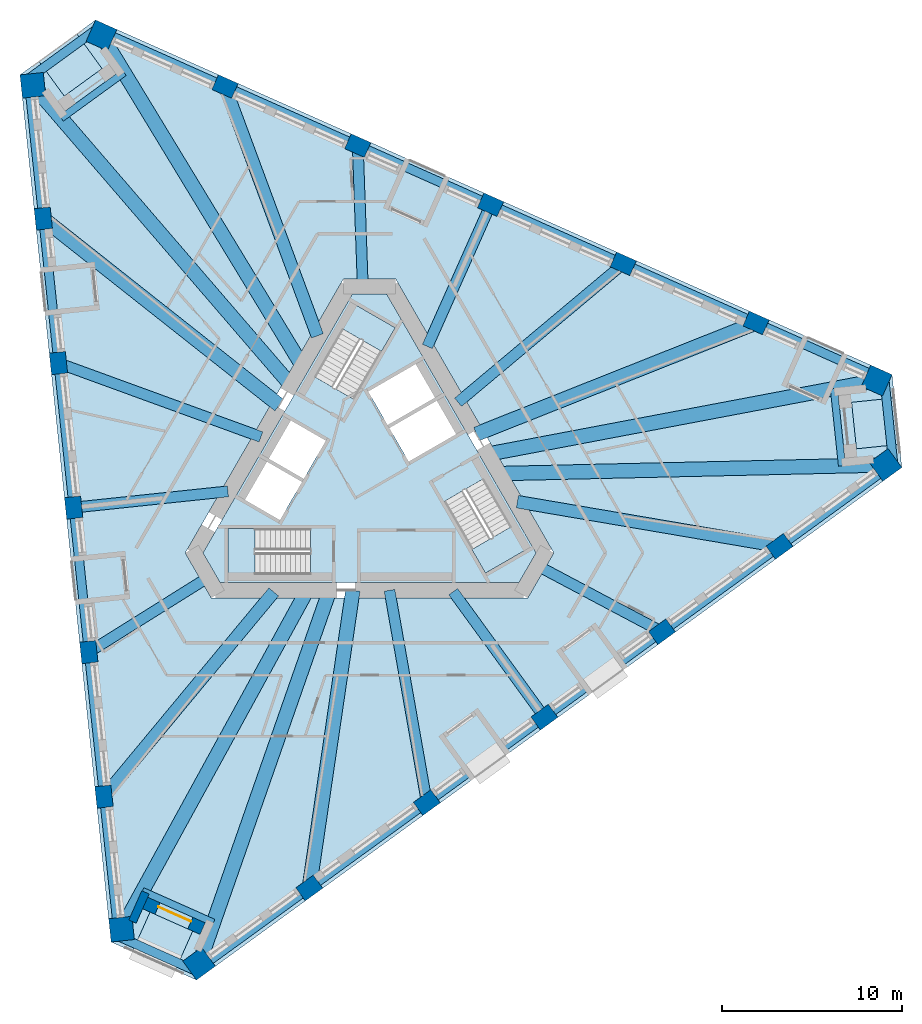
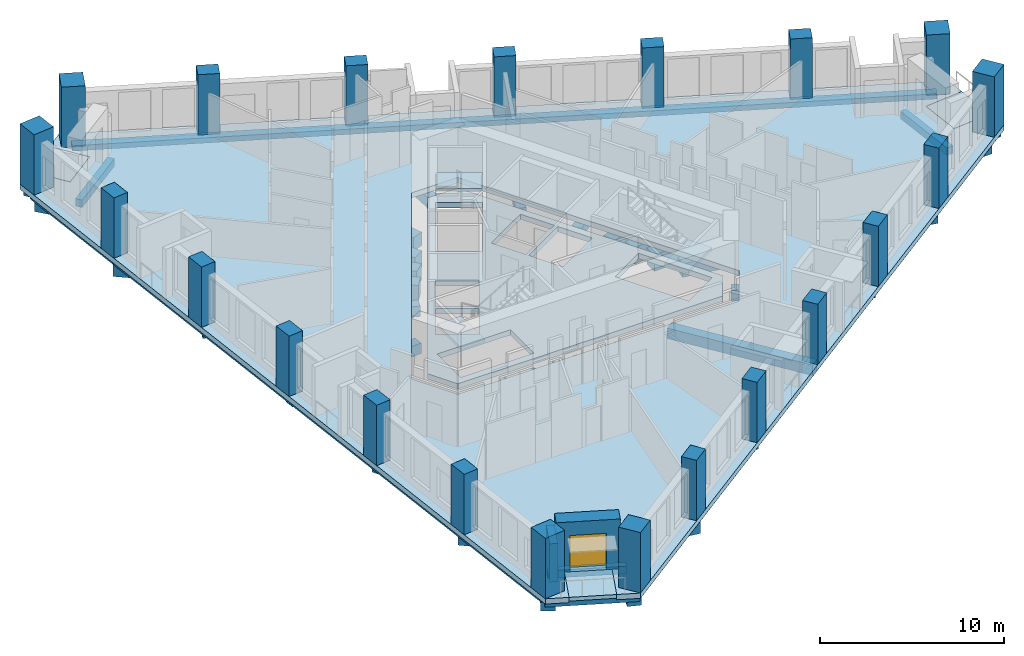
# One storey, part 1 of 14: 30 beams, 21 columns, 8 slabs, 2 walls, 1 door, 1 opening, 3 elements without a shape of their own.
"""IFC4 building model written with IfcOpenShell, lengths in metres."""

import ifcopenshell
import ifcopenshell.guid

model = None  # the IFC model being written
_history = None  # IfcOwnerHistory: only IFC2X3 demands one
_inside = {}  # id of a spatial element -> (the spatial element, [elements in it])
_under = {}  # id of a project, library or spatial element -> (it, [spatial elements below it])
_declared = {}  # id of a project -> (the project, [libraries it declares])
_typed = {}  # id of a type object -> (the type object, [elements of that type])
_made_of = {}  # id of a material, layer set ... -> (it, [elements and type objects made of it])


def new_model(schema):
    """Start an empty IFC model of exactly this schema.

    Asked for "IFC4X3", IfcOpenShell would pick the latest addendum, in which some entities
    have other attributes; the version numbers below select the first issue.
    IFC2X3 requires an IfcOwnerHistory on every rooted entity: one is made here for all.
    """
    global model, _history
    if schema == "IFC4X3":
        model = ifcopenshell.file(schema_version=(4, 3, 0, 0))
    else:
        model = ifcopenshell.file(schema=schema)
    _inside.clear()
    _under.clear()
    _declared.clear()
    _typed.clear()
    _made_of.clear()
    _history = None
    if model.schema == "IFC2X3":
        org = make("IfcOrganization", Name="unknown")
        user = make(
            "IfcPersonAndOrganization",
            ThePerson=make("IfcPerson", FamilyName="unknown"),
            TheOrganization=org,
        )
        app = make(
            "IfcApplication",
            ApplicationDeveloper=org,
            Version="unknown",
            ApplicationFullName="unknown",
            ApplicationIdentifier="unknown",
        )
        _history = make(
            "IfcOwnerHistory",
            OwningUser=user,
            OwningApplication=app,
            ChangeAction="ADDED",
            CreationDate=0,
        )
    return model


def make(cls, **values):
    """One entity of the class cls with the attributes given. An attribute that is None is left unset."""
    return model.create_entity(
        cls, **{name: value for name, value in values.items() if value is not None}
    )


def rooted(cls, **values):
    """An entity with a GlobalId (a new one), such as an element, a storey or a relation."""
    return make(cls, GlobalId=ifcopenshell.guid.new(), OwnerHistory=_history, **values)


def si_unit(unit_type, name, prefix=None):
    """IfcSIUnit, for example si_unit("LENGTHUNIT", "METRE", prefix="MILLI")."""
    return make("IfcSIUnit", UnitType=unit_type, Prefix=prefix, Name=name)


def assignment(units):
    """IfcUnitAssignment: the units of a project."""
    return None if units is None else make("IfcUnitAssignment", Units=units)


def point(xyz):
    """IfcCartesianPoint."""
    return None if xyz is None else make("IfcCartesianPoint", Coordinates=xyz)


def direction(xyz):
    """IfcDirection."""
    return None if xyz is None else make("IfcDirection", DirectionRatios=xyz)


def frame(location, z_axis=None, x_axis=None):
    """IfcAxis2Placement3D, a coordinate frame: its origin and axes. An axis left out is left unset."""
    return make(
        "IfcAxis2Placement3D",
        Location=point(location),
        Axis=direction(z_axis),
        RefDirection=direction(x_axis),
    )


def frame_2d(location, x_axis=None):
    """IfcAxis2Placement2D, a coordinate frame in the plane: its origin and x axis."""
    return make(
        "IfcAxis2Placement2D", Location=point(location), RefDirection=direction(x_axis)
    )


def origin():
    """The frame at (0, 0, 0) with its axes left unset."""
    return frame((0.0, 0.0, 0.0))


def origin_2d():
    """The frame at (0, 0) in the plane with its x axis left unset."""
    return frame_2d((0.0, 0.0))


def place(relative_to, where):
    """IfcLocalPlacement: puts the frame where relative to a parent placement (None: the world)."""
    return make(
        "IfcLocalPlacement", PlacementRelTo=relative_to, RelativePlacement=where
    )


def context(
    kind, dimensions, precision=None, world=None, true_north=None, identifier=None
):
    """IfcGeometricRepresentationContext, for example the 3D "Model" context."""
    return make(
        "IfcGeometricRepresentationContext",
        ContextIdentifier=identifier,
        ContextType=kind,
        CoordinateSpaceDimension=dimensions,
        Precision=precision,
        WorldCoordinateSystem=world,
        TrueNorth=true_north,
    )


def subcontext(parent, identifier, kind, view, scale=None):
    """IfcGeometricRepresentationSubContext, for example "Body" below "Model"."""
    return make(
        "IfcGeometricRepresentationSubContext",
        ContextIdentifier=identifier,
        ContextType=kind,
        ParentContext=parent,
        TargetScale=scale,
        TargetView=view,
    )


def project(units=None, contexts=None):
    """IfcProject with its units and contexts."""
    return rooted(
        "IfcProject",
        Name="project",
        RepresentationContexts=contexts,
        UnitsInContext=assignment(units),
    )


def spatial(cls, under=None, at=None, **own):
    """A site, building, storey or space (cls), placed at a placement, below another one or the project."""
    s = rooted(cls, ObjectPlacement=at, **own)
    if under is not None:
        _under.setdefault(under.id(), (under, []))[1].append(s)
    return s


def polyline(points):
    """IfcPolyline through the points."""
    return make("IfcPolyline", Points=[point(p) for p in points])


def profile(cls, at=None, kind="AREA", **sizes):
    """A parametric profile (cls). Its sizes go by their IFC names, for example OverallWidth=200.0."""
    return make(cls, ProfileType=kind, Position=at, **sizes)


def rectangle(**sizes):
    """IfcRectangleProfileDef."""
    return profile("IfcRectangleProfileDef", **sizes)


def outline(outer, holes=None, kind="AREA"):
    """IfcArbitraryClosedProfileDef: a profile drawn as a closed curve; with holes, ...WithVoids."""
    if holes is None:
        return make("IfcArbitraryClosedProfileDef", ProfileType=kind, OuterCurve=outer)
    return make(
        "IfcArbitraryProfileDefWithVoids",
        ProfileType=kind,
        OuterCurve=outer,
        InnerCurves=holes,
    )


def extrude(swept, where, along, depth):
    """IfcExtrudedAreaSolid: the profile swept, set in the frame where, extruded along a direction by depth."""
    return make(
        "IfcExtrudedAreaSolid",
        SweptArea=swept,
        Position=where,
        ExtrudedDirection=direction(along),
        Depth=depth,
    )


def shape(context_of_items, identifier, shape_type, items):
    """IfcShapeRepresentation: the items that make up one representation, for example the "Body"."""
    return make(
        "IfcShapeRepresentation",
        ContextOfItems=context_of_items,
        RepresentationIdentifier=identifier,
        RepresentationType=shape_type,
        Items=items,
    )


def material(Name=None, Category=None):
    """IfcMaterial."""
    return make("IfcMaterial", Name=Name, Category=Category)


def layer(
    of_material, thickness, ventilated=None, Name=None, Category=None, Priority=None
):
    """IfcMaterialLayer: one layer of a wall or slab, of a material (None: an air gap)."""
    return make(
        "IfcMaterialLayer",
        Material=of_material,
        LayerThickness=thickness,
        IsVentilated=ventilated,
        Name=Name,
        Category=Category,
        Priority=Priority,
    )


def layer_set(layers, Name=None):
    """IfcMaterialLayerSet."""
    return make("IfcMaterialLayerSet", MaterialLayers=layers, LayerSetName=Name)


def material_profile(
    of_material, cross_section, Name=None, Category=None, Priority=None
):
    """IfcMaterialProfile: a cross section and its material."""
    return make(
        "IfcMaterialProfile",
        Name=Name,
        Material=of_material,
        Profile=cross_section,
        Priority=Priority,
        Category=Category,
    )


def profile_set(profiles, Name=None, composite=None):
    """IfcMaterialProfileSet."""
    return make(
        "IfcMaterialProfileSet",
        Name=Name,
        MaterialProfiles=profiles,
        CompositeProfile=composite,
    )


def made_of(thing, what):
    """Note that an element or type object is made of a material, layer set ...; save() writes the relation."""
    if what is not None:
        _made_of.setdefault(what.id(), (what, []))[1].append(thing)
    return thing


def type_object(cls, material=None, **own):
    """A type object (cls), such as IfcWallType, which elements share."""
    return made_of(rooted(cls, **own), material)


def element(
    cls,
    number,
    at=None,
    inside=None,
    cuts=None,
    type_object=None,
    material=None,
    context=None,
    identifier="Body",
    shape_type=None,
    held_by="IfcProductDefinitionShape",
    body=None,
    shapes=None,
    **own,
):
    """One element of the class cls, such as IfcWall. Its Tag is "e" and its number.

    at: its placement. inside: the storey or other place that contains it. cuts: it is an
    opening in that element (IfcRelVoidsElement). A single representation is given by context,
    identifier, shape_type and body (its items); several are given by shapes. held_by: the class
    of the entity that holds the representations. save() writes the other relations.
    """
    e = rooted(cls, Tag="e%d" % number, ObjectPlacement=at, **own)
    if body is not None:
        shapes = [shape(context, identifier, shape_type, body)]
    if shapes is not None:
        e.Representation = make(held_by, Representations=shapes)
    if inside is not None:
        _inside.setdefault(inside.id(), (inside, []))[1].append(e)
    if cuts is not None:
        rooted(
            "IfcRelVoidsElement", RelatingBuildingElement=cuts, RelatedOpeningElement=e
        )
    if type_object is not None:
        _typed.setdefault(type_object.id(), (type_object, []))[1].append(e)
    return made_of(e, material)


def fill(opening, filler):
    """IfcRelFillsElement: the door or window that sits in an opening."""
    return rooted(
        "IfcRelFillsElement",
        RelatingOpeningElement=opening,
        RelatedBuildingElement=filler,
    )


def aggregate(whole, parts):
    """IfcRelAggregates: a whole, such as a stair, and the parts it consists of."""
    return rooted("IfcRelAggregates", RelatingObject=whole, RelatedObjects=parts)


def save(model, path):
    """Write the relations noted so far, then the file.

    IfcRelAggregates (storeys below a building ...), IfcRelContainedInSpatialStructure (elements
    in a storey), IfcRelDefinesByType, IfcRelAssociatesMaterial and IfcRelDeclares: one each for
    every whole, place, type object, material and project.
    """
    for whole, parts in _under.values():
        aggregate(whole, parts)
    for where, things in _inside.values():
        rooted(
            "IfcRelContainedInSpatialStructure",
            RelatedElements=things,
            RelatingStructure=where,
        )
    for kind, things in _typed.values():
        rooted("IfcRelDefinesByType", RelatedObjects=things, RelatingType=kind)
    for what, things in _made_of.values():
        rooted("IfcRelAssociatesMaterial", RelatedObjects=things, RelatingMaterial=what)
    for by, libraries in _declared.values():
        rooted("IfcRelDeclares", RelatingContext=by, RelatedDefinitions=libraries)
    model.write(path)


model = new_model("IFC4")

# Units and contexts
model_context = context("Model", 3, precision=1e-05, world=origin(), true_north=direction((0.0, 1.0)))
body_context = subcontext(model_context, "Body", "Model", "MODEL_VIEW")
ifc_project = project(units=[si_unit("LENGTHUNIT", "METRE"), si_unit("AREAUNIT", "SQUARE_METRE"), si_unit("VOLUMEUNIT", "CUBIC_METRE"), si_unit("PLANEANGLEUNIT", "RADIAN"), si_unit("MASSUNIT", "GRAM", prefix="KILO")], contexts=[model_context])

# Site, building, storey
site_placement = place(None, origin())
site = spatial("IfcSite", under=ifc_project, at=site_placement, CompositionType="ELEMENT")
building_placement = place(site_placement, origin())
building = spatial("IfcBuilding", under=site, at=building_placement, Name="Tramontana Tower", CompositionType="ELEMENT")
storey_placement = place(building_placement, frame((0.0, 0.0, 170.800048828125)))
storey = spatial("IfcBuildingStorey", under=building, at=storey_placement, Name="L39", CompositionType="ELEMENT", Elevation=170.800048828125)

# Columns
ifc_material_1 = material(Name="Concrete 55 MPa", Category="concrete")
ifc_material_profile_1 = material_profile(ifc_material_1, rectangle(XDim=1.300048828125, YDim=1.300048828125, at=origin_2d()), Name="Mega column 1300X1300 55 MPa")
ifc_profile_set_1 = profile_set([ifc_material_profile_1], Name="Concrete 55 MPa")
column_type_1 = type_object("IfcColumnType", Name="Mega column 1300X1300 55 MPa", PredefinedType="COLUMN", material=ifc_profile_set_1)
for number, where, z_axis, x_axis, name in (
    (1, (-18.72705078125, 21.760498046875, 0.0), (0.0, 0.0, 1.0), (0.104528463268, -0.994521895368, 0.0), "Mega column C4K1 L39"),
    (2, (-13.793701171875, -25.178466796875, 0.0), (0.0, 0.0, 1.0), (0.104528463268, -0.994521895368, 0.0), "Mega column C4K2 L39"),
    (3, (-9.4814453125, -27.098388671875, 0.0), (0.0, 0.0, 1.0), (0.809016994375, 0.587785252292, 0.0), "Mega column C4K3 L39"),
    (4, (28.7021484375, 0.6435546875, 0.0), (0.0, 0.0, 1.0), (0.809016994375, 0.587785252292, 0.0), "Mega column C4K4 L39"),
    (5, (28.208740234375, 5.337890625, 0.0), (0.0, 0.0, 1.0), (-0.913545457643, 0.406736643076, 0.0), "Mega column C4K5 L39"),
    (6, (-14.908447265625, 24.534912109375, 0.0), (0.0, 0.0, 1.0), (-0.913545457643, 0.406736643076, 0.0), "Mega column C4K6 L39"),
):
    element("IfcColumn", number, at=place(storey_placement, frame(where, z_axis=z_axis, x_axis=x_axis)), inside=storey, type_object=column_type_1, Name=name, PredefinedType="COLUMN", context=body_context, shape_type="SweptSolid", body=[
        extrude(rectangle(XDim=1.300048828125, YDim=1.300048828125, at=origin_2d()), origin(), (0.0, 0.0, 1.0), 4.0),
    ])
ifc_material_2 = material(Name="Concrete 55 MPa", Category="concrete")
ifc_material_profile_2 = material_profile(ifc_material_2, rectangle(XDim=1.199951171875, YDim=0.89990234375, at=origin_2d()), Name="Pier column 1200X900 55 MPa")
ifc_profile_set_2 = profile_set([ifc_material_profile_2], Name="Concrete 55 MPa")
column_type_2 = type_object("IfcColumnType", Name="Pier column 1200X900 55 MPa", PredefinedType="COLUMN", material=ifc_profile_set_2)
for number, where, z_axis, x_axis, name in (
    (7, (-18.149169921875, 14.347412109375, 0.0), (0.0, 0.0, 1.0), (0.104528463268, -0.994521895368, 0.0), "Pier column C4F01 L39"),
    (8, (-17.30419921875, 6.30859375, 0.0), (0.0, 0.0, 1.0), (0.104528463268, -0.994521895368, 0.0), "Pier column C4F02 L39"),
    (9, (-16.459228515625, -1.72998046875, 0.0), (0.0, 0.0, 1.0), (0.104528463268, -0.994521895368, 0.0), "Pier column C4F03 L39"),
    (10, (-15.614501953125, -9.7685546875, 0.0), (0.0, 0.0, 1.0), (0.104528463268, -0.994521895368, 0.0), "Pier column C4F04 L39"),
    (11, (-14.76953125, -17.80712890625, 0.0), (0.0, 0.0, 1.0), (0.104528463268, -0.994521895368, 0.0), "Pier column C4F05 L39"),
    (12, (-3.3505859375, -22.891357421875, 0.0), (0.0, 0.0, 1.0), (0.809016994375, 0.587785252292, 0.0), "Pier column C4F06 L39"),
    (13, (3.188720703125, -18.14013671875, 0.0), (0.0, 0.0, 1.0), (0.809016994375, 0.587785252292, 0.0), "Pier column C4F07 L39"),
    (14, (9.727783203125, -13.38916015625, 0.0), (0.0, 0.0, 1.0), (0.809016994375, 0.587785252292, 0.0), "Pier column C4F08 L39"),
    (15, (16.26708984375, -8.63818359375, 0.0), (0.0, 0.0, 1.0), (0.809016994375, 0.587785252292, 0.0), "Pier column C4F09 L39"),
    (16, (22.80615234375, -3.88720703125, 0.0), (0.0, 0.0, 1.0), (0.809016994375, 0.587785252292, 0.0), "Pier column C4F10 L39"),
    (17, (21.499755859375, 8.5439453125, 0.0), (0.0, 0.0, 1.0), (-0.913545457643, 0.406736643076, 0.0), "Pier column C4F11 L39"),
    (18, (14.115478515625, 11.83154296875, 0.0), (0.0, 0.0, 1.0), (-0.913545457643, 0.406736643076, 0.0), "Pier column C4F12 L39"),
    (19, (6.7314453125, 15.119140625, 0.0), (0.0, 0.0, 1.0), (-0.913545457643, 0.406736643076, 0.0), "Pier column C4F13 L39"),
    (20, (-0.652587890625, 18.40673828125, 0.0), (0.0, 0.0, 1.0), (-0.913545457643, 0.406736643076, 0.0), "Pier column C4F14 L39"),
    (21, (-8.03662109375, 21.6943359375, 0.0), (0.0, 0.0, 1.0), (-0.913545457643, 0.406736643076, 0.0), "Pier column C4F15 L39"),
):
    element("IfcColumn", number, at=place(storey_placement, frame(where, z_axis=z_axis, x_axis=x_axis)), inside=storey, type_object=column_type_2, Name=name, PredefinedType="COLUMN", context=body_context, shape_type="SweptSolid", body=[
        extrude(rectangle(XDim=1.199951171875, YDim=0.89990234375, at=origin_2d()), origin(), (0.0, 0.0, 1.0), 4.0),
    ])

# Beams
ifc_material_3 = material(Name="Concrete 40 MPa", Category="concrete")
ifc_material_profile_3 = material_profile(ifc_material_3, rectangle(XDim=0.5, YDim=0.35009765625, at=origin_2d()), Name="RC EDGE BEAM 500X350 40 MPa")
ifc_profile_set_3 = profile_set([ifc_material_profile_3], Name="Concrete 40 MPa")
beam_type_1 = type_object("IfcBeamType", Name="RC EDGE BEAM 500X350 40 MPa", PredefinedType="SPANDREL", material=ifc_profile_set_3)
for number, where, z_axis, x_axis, name in (
    (22, (-18.926025390625, 21.739501953125, -0.525146484375), (0.104525646884, -0.994522191378, 0.0), (0.994522191378, 0.104525646884, 0.0), "Spandrel beam S0 L39"),
    (23, (-9.364013671875, -27.26025390625, -0.525146484375), (0.809017612716, 0.587784401218, 0.0), (-0.587784401218, 0.809017612716, 0.0), "Spandrel beam S1 L39"),
):
    element("IfcBeam", number, at=place(storey_placement, frame(where, z_axis=z_axis, x_axis=x_axis)), inside=storey, type_object=beam_type_1, Name=name, PredefinedType="SPANDREL", context=body_context, shape_type="SweptSolid", body=[
        extrude(rectangle(XDim=0.5, YDim=0.35009765625, at=origin_2d()), origin(), (0.0, 0.0, 1.0), 47.197509765625),
    ])
beam_1_placement = place(storey_placement, frame((28.2900390625, 5.520751953125, -0.525146484375), z_axis=(-0.913546423332, 0.406734474095, 0.0), x_axis=(-0.406734474095, -0.913546423332, 0.0)))
element("IfcBeam", 24, at=beam_1_placement, inside=storey, type_object=beam_type_1, Name="Spandrel beam S2 L39", PredefinedType="SPANDREL", context=body_context, shape_type="SweptSolid", body=[
    extrude(rectangle(XDim=0.5, YDim=0.35009765625, at=origin_2d()), origin(), (0.0, 0.0, 1.0), 47.197265625),
])
beam_2_placement = place(storey_placement, frame((-14.973388671875, 25.029052734375, -0.525146484375), z_axis=(-0.809008263593, -0.587797268995, 0.0), x_axis=(0.587797268995, -0.809008263593, 0.0)))
element("IfcBeam", 25, at=beam_2_placement, inside=storey, type_object=beam_type_1, Name="Spandrel beam K0 L39", PredefinedType="SPANDREL", context=body_context, shape_type="SweptSolid", body=[
    extrude(rectangle(XDim=0.5, YDim=0.35009765625, at=origin_2d()), origin(), (0.0, 0.0, 1.0), 5.196044921875),
])
for number, where, z_axis, x_axis, name in (
    (26, (-14.189208984375, -25.481689453125, -0.525146484375), (0.91354592127, -0.40673560175, 0.0), (0.40673560175, 0.91354592127, 0.0), "Spandrel beam K1 L39"),
    (27, (29.162353515625, 0.45263671875, -0.525146484375), (-0.104494011766, 0.994525515764, 0.0), (-0.994525515764, -0.104494011766, 0.0), "Spandrel beam K2 L39"),
):
    element("IfcBeam", number, at=place(storey_placement, frame(where, z_axis=z_axis, x_axis=x_axis)), inside=storey, type_object=beam_type_1, Name=name, PredefinedType="SPANDREL", context=body_context, shape_type="SweptSolid", body=[
        extrude(rectangle(XDim=0.5, YDim=0.35009765625, at=origin_2d()), origin(), (0.0, 0.0, 1.0), 5.1962890625),
    ])
ifc_material_4 = material(Name="Concrete 40 MPa", Category="concrete")
ifc_material_profile_4 = material_profile(ifc_material_4, rectangle(XDim=0.60009765625, YDim=0.699951171875, at=origin_2d()), Name="RC GIRDER 600X700 40 MPa")
ifc_profile_set_4 = profile_set([ifc_material_profile_4], Name="Concrete 40 MPa")
beam_type_2 = type_object("IfcBeamType", Name="RC GIRDER 600X700 40 MPa", PredefinedType="BEAM", material=ifc_profile_set_4)
beam_3_placement = place(storey_placement, frame((-17.30419921875, 6.30859375, -0.699951171875), z_axis=(0.939513090247, -0.342512997205, 0.0), x_axis=(0.342512997205, 0.939513090247, 0.0)))
element("IfcBeam", 28, at=beam_3_placement, inside=storey, type_object=beam_type_2, Name="Radial girder C4F02 L39", PredefinedType="BEAM", context=body_context, shape_type="SweptSolid", body=[
    extrude(rectangle(XDim=0.60009765625, YDim=0.699951171875, at=origin_2d()), origin(), (0.0, 0.0, 1.0), 11.989990234375),
])
beam_4_placement = place(storey_placement, frame((-16.459228515625, -1.72998046875, -0.699951171875), z_axis=(0.994520630985, 0.104540492367, 0.0), x_axis=(-0.104540492367, 0.994520630985, 0.0)))
element("IfcBeam", 29, at=beam_4_placement, inside=storey, type_object=beam_type_2, Name="Radial girder C4F03 L39", PredefinedType="BEAM", context=body_context, shape_type="SweptSolid", body=[
    extrude(rectangle(XDim=0.60009765625, YDim=0.699951171875, at=origin_2d()), origin(), (0.0, 0.0, 1.0), 8.631591796875),
])
beam_5_placement = place(storey_placement, frame((-15.614501953125, -9.7685546875, -0.699951171875), z_axis=(0.847767192537, 0.530368539091, 0.0), x_axis=(-0.530368539091, 0.847767192537, 0.0)))
element("IfcBeam", 30, at=beam_5_placement, inside=storey, type_object=beam_type_2, Name="Radial girder C4F04 L39", PredefinedType="BEAM", context=body_context, shape_type="SweptSolid", body=[
    extrude(rectangle(XDim=0.60009765625, YDim=0.699951171875, at=origin_2d()), origin(), (0.0, 0.0, 1.0), 7.83642578125),
])
beam_6_placement = place(storey_placement, frame((3.188720703125, -18.14013671875, -0.699951171875), z_axis=(-0.173139447083, 0.984897320467, 0.0), x_axis=(-0.984897320467, -0.173139447083, 0.0)))
element("IfcBeam", 31, at=beam_6_placement, inside=storey, type_object=beam_type_2, Name="Radial girder C4F07 L39", PredefinedType="BEAM", context=body_context, shape_type="SweptSolid", body=[
    extrude(rectangle(XDim=0.60009765625, YDim=0.699951171875, at=origin_2d()), origin(), (0.0, 0.0, 1.0), 11.989990234375),
])
beam_7_placement = place(storey_placement, frame((9.727783203125, -13.38916015625, -0.699951171875), z_axis=(-0.587793224159, 0.809011202415, 0.0), x_axis=(-0.809011202415, -0.587793224159, 0.0)))
element("IfcBeam", 32, at=beam_7_placement, inside=storey, type_object=beam_type_2, Name="Radial girder C4F08 L39", PredefinedType="BEAM", context=body_context, shape_type="SweptSolid", body=[
    extrude(rectangle(XDim=0.60009765625, YDim=0.699951171875, at=origin_2d()), origin(), (0.0, 0.0, 1.0), 8.63134765625),
])
beam_8_placement = place(storey_placement, frame((16.26708984375, -8.63818359375, -0.699951171875), z_axis=(-0.883198396805, 0.468999564905, 0.0), x_axis=(-0.468999564905, -0.883198396805, 0.0)))
element("IfcBeam", 33, at=beam_8_placement, inside=storey, type_object=beam_type_2, Name="Radial girder C4F09 L39", PredefinedType="BEAM", context=body_context, shape_type="SweptSolid", body=[
    extrude(rectangle(XDim=0.60009765625, YDim=0.699951171875, at=origin_2d()), origin(), (0.0, 0.0, 1.0), 7.83642578125),
])
beam_9_placement = place(storey_placement, frame((14.115478515625, 11.83154296875, -0.699951171875), z_axis=(-0.766377147971, -0.642390898961, 0.0), x_axis=(0.642390898961, -0.766377147971, 0.0)))
element("IfcBeam", 34, at=beam_9_placement, inside=storey, type_object=beam_type_2, Name="Radial girder C4F12 L39", PredefinedType="BEAM", context=body_context, shape_type="SweptSolid", body=[
    extrude(rectangle(XDim=0.60009765625, YDim=0.699951171875, at=origin_2d()), origin(), (0.0, 0.0, 1.0), 11.98974609375),
])
beam_10_placement = place(storey_placement, frame((6.7314453125, 15.119140625, -0.699951171875), z_axis=(-0.406736735655, -0.913545416424, 0.0), x_axis=(0.913545416424, -0.406736735655, 0.0)))
element("IfcBeam", 35, at=beam_10_placement, inside=storey, type_object=beam_type_2, Name="Radial girder C4F13 L39", PredefinedType="BEAM", context=body_context, shape_type="SweptSolid", body=[
    extrude(rectangle(XDim=0.60009765625, YDim=0.699951171875, at=origin_2d()), origin(), (0.0, 0.0, 1.0), 8.631591796875),
])
beam_11_placement = place(storey_placement, frame((-0.652587890625, 18.40673828125, -0.699951171875), z_axis=(0.035422608777, -0.999372422467, 0.0), x_axis=(0.999372422467, 0.035422608777, 0.0)))
element("IfcBeam", 36, at=beam_11_placement, inside=storey, type_object=beam_type_2, Name="Radial girder C4F14 L39", PredefinedType="BEAM", context=body_context, shape_type="SweptSolid", body=[
    extrude(rectangle(XDim=0.60009765625, YDim=0.699951171875, at=origin_2d()), origin(), (0.0, 0.0, 1.0), 7.83642578125),
])
ifc_material_5 = material(Name="Concrete 40 MPa", Category="concrete")
ifc_material_profile_5 = material_profile(ifc_material_5, rectangle(XDim=0.699951171875, YDim=0.89990234375, at=origin_2d()), Name="RC GIRDER 700X900 40 MPa")
ifc_profile_set_5 = profile_set([ifc_material_profile_5], Name="Concrete 40 MPa")
beam_type_3 = type_object("IfcBeamType", Name="RC GIRDER 700X900 40 MPa", PredefinedType="BEAM", material=ifc_profile_set_5)
for number, where, z_axis, x_axis, name in (
    (37, (-14.76953125, -17.80712890625, -0.800048828125), (0.638406477844, 0.769699401745, 0.0), (-0.769699401745, 0.638406477844, 0.0), "Radial girder C4F05 L39"),
    (38, (22.806396484375, -3.88720703125, -0.800048828125), (-0.985783673381, 0.168019490821, 0.0), (-0.168019490821, -0.985783673381, 0.0), "Radial girder C4F10 L39"),
    (39, (-8.03662109375, 21.6943359375, -0.800048828125), (0.347381556139, -0.93772386898, 0.0), (0.93772386898, 0.347381556139, 0.0), "Radial girder C4F15 L39"),
):
    element("IfcBeam", number, at=place(storey_placement, frame(where, z_axis=z_axis, x_axis=x_axis)), inside=storey, type_object=beam_type_3, Name=name, PredefinedType="BEAM", context=body_context, shape_type="SweptSolid", body=[
        extrude(rectangle(XDim=0.699951171875, YDim=0.89990234375, at=origin_2d()), origin(), (0.0, 0.0, 1.0), 14.79052734375),
    ])
ifc_material_6 = material(Name="Concrete 40 MPa", Category="concrete")
ifc_material_profile_6 = material_profile(ifc_material_6, rectangle(XDim=0.800048828125, YDim=1.10009765625, at=origin_2d()), Name="RC GIRDER 800X1100 40 MPa")
ifc_profile_set_6 = profile_set([ifc_material_profile_6], Name="Concrete 40 MPa")
beam_type_4 = type_object("IfcBeamType", Name="RC GIRDER 800X1100 40 MPa", PredefinedType="BEAM", material=ifc_profile_set_6)
beam_12_placement = place(storey_placement, frame((-18.727294921875, 21.760498046875, -0.900146484375), z_axis=(0.652300085393, -0.757960816004, 0.0), x_axis=(0.757960816004, 0.652300085393, 0.0)))
element("IfcBeam", 40, at=beam_12_placement, inside=storey, type_object=beam_type_4, Name="Radial girder C4K1 L39", PredefinedType="BEAM", context=body_context, shape_type="SweptSolid", body=[
    extrude(rectangle(XDim=0.800048828125, YDim=1.10009765625, at=origin_2d()), origin(), (0.0, 0.0, 1.0), 21.983154296875),
])
beam_13_placement = place(storey_placement, frame((-18.149169921875, 14.347412109375, -0.900146484375), z_axis=(0.784478628915, -0.620155852005, 0.0), x_axis=(0.620155852005, 0.784478628915, 0.0)))
element("IfcBeam", 41, at=beam_13_placement, inside=storey, type_object=beam_type_4, Name="Radial girder C4F01 L39", PredefinedType="BEAM", context=body_context, shape_type="SweptSolid", body=[
    extrude(rectangle(XDim=0.800048828125, YDim=1.10009765625, at=origin_2d()), origin(), (0.0, 0.0, 1.0), 16.73828125),
])
beam_14_placement = place(storey_placement, frame((-13.793701171875, -25.178466796875, -0.900146484375), z_axis=(0.480462301802, 0.877015379881, 0.0), x_axis=(-0.877015379881, 0.480462301802, 0.0)))
element("IfcBeam", 42, at=beam_14_placement, inside=storey, type_object=beam_type_4, Name="Radial girder C4K2 L39", PredefinedType="BEAM", context=body_context, shape_type="SweptSolid", body=[
    extrude(rectangle(XDim=0.800048828125, YDim=1.10009765625, at=origin_2d()), origin(), (0.0, 0.0, 1.0), 21.437744140625),
])
beam_15_placement = place(storey_placement, frame((-9.4814453125, -27.098388671875, -0.900146484375), z_axis=(0.330256430983, 0.943891248924, 0.0), x_axis=(-0.943891248924, 0.330256430983, 0.0)))
element("IfcBeam", 43, at=beam_15_placement, inside=storey, type_object=beam_type_4, Name="Radial girder C4K3 L39", PredefinedType="BEAM", context=body_context, shape_type="SweptSolid", body=[
    extrude(rectangle(XDim=0.800048828125, YDim=1.10009765625, at=origin_2d()), origin(), (0.0, 0.0, 1.0), 21.98291015625),
])
beam_16_placement = place(storey_placement, frame((-3.3505859375, -22.891357421875, -0.900146484375), z_axis=(0.144822515675, 0.989457648893, 0.0), x_axis=(-0.989457648893, 0.144822515675, 0.0)))
element("IfcBeam", 44, at=beam_16_placement, inside=storey, type_object=beam_type_4, Name="Radial girder C4F06 L39", PredefinedType="BEAM", context=body_context, shape_type="SweptSolid", body=[
    extrude(rectangle(XDim=0.800048828125, YDim=1.10009765625, at=origin_2d()), origin(), (0.0, 0.0, 1.0), 16.73828125),
])
beam_17_placement = place(storey_placement, frame((28.701904296875, 0.6435546875, -0.900146484375), z_axis=(-0.999748807881, -0.022412521973, 0.0), x_axis=(0.022412521973, -0.999748807881, 0.0)))
element("IfcBeam", 45, at=beam_17_placement, inside=storey, type_object=beam_type_4, Name="Radial girder C4K4 L39", PredefinedType="BEAM", context=body_context, shape_type="SweptSolid", body=[
    extrude(rectangle(XDim=0.800048828125, YDim=1.10009765625, at=origin_2d()), origin(), (0.0, 0.0, 1.0), 21.4375),
])
beam_18_placement = place(storey_placement, frame((28.20849609375, 5.337890625, -0.900146484375), z_axis=(-0.982562021037, -0.185935136045, 0.0), x_axis=(0.185935136045, -0.982562021037, 0.0)))
element("IfcBeam", 46, at=beam_18_placement, inside=storey, type_object=beam_type_4, Name="Radial girder C4K5 L39", PredefinedType="BEAM", context=body_context, shape_type="SweptSolid", body=[
    extrude(rectangle(XDim=0.800048828125, YDim=1.10009765625, at=origin_2d()), origin(), (0.0, 0.0, 1.0), 21.98291015625),
])
beam_19_placement = place(storey_placement, frame((21.499755859375, 8.5439453125, -0.900146484375), z_axis=(-0.929307244414, -0.369307521558, 0.0), x_axis=(0.369307521558, -0.929307244414, 0.0)))
element("IfcBeam", 47, at=beam_19_placement, inside=storey, type_object=beam_type_4, Name="Radial girder C4F11 L39", PredefinedType="BEAM", context=body_context, shape_type="SweptSolid", body=[
    extrude(rectangle(XDim=0.800048828125, YDim=1.10009765625, at=origin_2d()), origin(), (0.0, 0.0, 1.0), 16.738525390625),
])
beam_20_placement = place(storey_placement, frame((-14.908447265625, 24.534912109375, -0.900146484375), z_axis=(0.519297566275, -0.854593492639, 0.0), x_axis=(0.854593492639, 0.519297566275, 0.0)))
element("IfcBeam", 48, at=beam_20_placement, inside=storey, type_object=beam_type_4, Name="Radial girder C4K6 L39", PredefinedType="BEAM", context=body_context, shape_type="SweptSolid", body=[
    extrude(rectangle(XDim=0.800048828125, YDim=1.10009765625, at=origin_2d()), origin(), (0.0, 0.0, 1.0), 21.437744140625),
])
ifc_material_7 = material(Name="Concrete 40 MPa", Category="concrete")
ifc_material_profile_7 = material_profile(ifc_material_7, rectangle(XDim=0.39990234375, YDim=0.5, at=origin_2d()), Name="RC TRIM BEAM 400X500 40 MPa")
ifc_profile_set_7 = profile_set([ifc_material_profile_7], Name="Concrete 40 MPa")
beam_type_5 = type_object("IfcBeamType", Name="RC TRIM BEAM 400X500 40 MPa", PredefinedType="JOIST", material=ifc_profile_set_7)
for number, where, z_axis, x_axis, name in (
    (49, (-13.651611328125, 22.466552734375, -0.60009765625), (-0.808997350037, -0.587812289453, 0.0), (0.587812289453, -0.808997350037, 0.0), "Trimmer beam K0 L39"),
    (50, (-12.630859375, -23.055908203125, -0.60009765625), (0.913548159873, -0.406730573714, 0.0), (0.406730573714, 0.913548159873, 0.0), "Trimmer beam K1 L39"),
):
    element("IfcBeam", number, at=place(storey_placement, frame(where, z_axis=z_axis, x_axis=x_axis)), inside=storey, type_object=beam_type_5, Name=name, PredefinedType="JOIST", context=body_context, shape_type="SweptSolid", body=[
        extrude(rectangle(XDim=0.39990234375, YDim=0.5, at=origin_2d()), origin(), (0.0, 0.0, 1.0), 4.322509765625),
    ])
beam_21_placement = place(storey_placement, frame((26.282470703125, 0.58935546875, -0.60009765625), z_axis=(-0.104552471013, 0.99451937176, 0.0), x_axis=(-0.99451937176, -0.104552471013, 0.0)))
element("IfcBeam", 51, at=beam_21_placement, inside=storey, type_object=beam_type_5, Name="Trimmer beam K2 L39", PredefinedType="JOIST", context=body_context, shape_type="SweptSolid", body=[
    extrude(rectangle(XDim=0.39990234375, YDim=0.5, at=origin_2d()), origin(), (0.0, 0.0, 1.0), 4.322265625),
])

# Slabs
ifc_material_8 = material(Name="Precast concrete 50 MPa", Category="concrete")
ifc_layer_1 = layer(ifc_material_8, 0.25)
ifc_layer_set_1 = layer_set([ifc_layer_1], Name="LT1 Loggia floor tray 250")
slab_type_1 = type_object("IfcSlabType", Name="LT1 Loggia floor tray 250", PredefinedType="FLOOR", material=ifc_layer_set_1)
slab_1_placement = place(storey_placement, frame((0.0, 0.0, -0.25)))
element("IfcSlab", 52, at=slab_1_placement, inside=storey, type_object=slab_type_1, Name="Corner loggia floor L39 K40", PredefinedType="FLOOR", context=body_context, shape_type="SweptSolid", body=[
    extrude(outline(polyline([(-16.287841796875, 24.630126953125), (-14.877197265625, 22.6884765625), (-16.980712890625, 21.16015625), (-18.391357421875, 23.101806640625), (-16.287841796875, 24.630126953125)])), origin(), (0.0, 0.0, 1.0), 0.25),
])
slab_2_placement = place(storey_placement, frame((0.0, 0.0, -0.25)))
element("IfcSlab", 53, at=slab_2_placement, inside=storey, type_object=slab_type_1, Name="Corner loggia floor L39 K41", PredefinedType="FLOOR", context=body_context, shape_type="SweptSolid", body=[
    extrude(outline(polyline([(-13.186279296875, -26.4208984375), (-12.210205078125, -24.228271484375), (-9.8349609375, -25.285888671875), (-10.81103515625, -27.478271484375), (-13.186279296875, -26.4208984375)])), origin(), (0.0, 0.0, 1.0), 0.25),
])
slab_3_placement = place(storey_placement, frame((0.0, 0.0, -0.25)))
element("IfcSlab", 54, at=slab_3_placement, inside=storey, type_object=slab_type_1, Name="Corner loggia floor L39 K42", PredefinedType="FLOOR", context=body_context, shape_type="SweptSolid", body=[
    extrude(outline(polyline([(29.474365234375, 1.790771484375), (27.08740234375, 1.539794921875), (26.815673828125, 4.12548828125), (29.202392578125, 4.37646484375), (29.474365234375, 1.790771484375)])), origin(), (0.0, 0.0, 1.0), 0.25),
])
ifc_material_9 = material(Name="Concrete 40 MPa", Category="concrete")
ifc_layer_2 = layer(ifc_material_9, 0.35009765625)
ifc_layer_set_2 = layer_set([ifc_layer_2], Name="PT FLAT SLAB 350 40 MPa")
slab_type_2 = type_object("IfcSlabType", Name="PT FLAT SLAB 350 40 MPa", PredefinedType="FLOOR", material=ifc_layer_set_2)
slab_4_placement = place(storey_placement, frame((0.0, 0.0, -0.35009765625)))
element("IfcSlab", 55, at=slab_4_placement, inside=storey, type_object=slab_type_2, Name="Floor slab L39", PredefinedType="FLOOR", context=body_context, shape_type="SweptSolid", body=[
    extrude(outline(polyline([(29.202392578125, 4.37646484375), (26.815673828125, 4.12548828125), (27.08740234375, 1.539794921875), (29.474365234375, 1.790771484375), (29.610107421875, 0.499755859375), (-9.625244140625, -28.00634765625), (-10.81103515625, -27.478271484375), (-9.8349609375, -25.285888671875), (-12.210205078125, -24.228271484375), (-13.186279296875, -26.4208984375), (-14.372314453125, -25.892822265625), (-19.441650390625, 22.3388671875), (-18.391357421875, 23.101806640625), (-16.980712890625, 21.16015625), (-14.877197265625, 22.6884765625), (-16.287841796875, 24.630126953125), (-15.23779296875, 25.39306640625), (29.06689453125, 5.66748046875), (29.202392578125, 4.37646484375)]), holes=[polyline([(-10.248046875, -4.25), (-8.8046875, -6.75), (8.8046875, -6.75), (10.248046875, -4.25), (1.443359375, 11.0), (-1.443359375, 11.0), (-10.248046875, -4.25)])]), origin(), (0.0, 0.0, 1.0), 0.35009765625),
])
slab_5_placement = place(storey_placement, frame((0.0, 0.0, -0.35009765625)))
element("IfcSlab", 56, at=slab_5_placement, inside=storey, type_object=slab_type_2, Name="Core floor slab L39", PredefinedType="FLOOR", context=body_context, shape_type="SweptSolid", body=[
    extrude(outline(polyline([(9.2666015625, -4.25), (8.313720703125, -5.89990234375), (-8.313720703125, -5.89990234375), (-9.2666015625, -4.25), (-0.95263671875, 10.14990234375), (0.95263671875, 10.14990234375), (9.2666015625, -4.25)]), holes=[polyline([(8.659912109375, -4.099365234375), (6.35986328125, -0.115478515625), (4.151611328125, -1.390625), (6.451416015625, -5.374267578125), (8.659912109375, -4.099365234375)]), polyline([(3.829833984375, 4.2666015625), (1.101806640625, 2.69140625), (2.177001953125, 0.82958984375), (4.90478515625, 2.404541015625), (3.829833984375, 4.2666015625)]), polyline([(2.65478515625, 6.3017578125), (-0.072998046875, 4.726806640625), (1.001953125, 2.86474609375), (3.729736328125, 4.439697265625), (2.65478515625, 6.3017578125)]), polyline([(-0.77978515625, 9.54931640625), (-3.079833984375, 5.565673828125), (-0.87158203125, 4.29052734375), (1.428466796875, 8.2744140625), (-0.77978515625, 9.54931640625)]), polyline([(-5.689697265625, 1.044921875), (-3.65478515625, -0.130126953125), (-2.4296875, 1.99169921875), (-4.46484375, 3.166748046875), (-5.689697265625, 1.044921875)]), polyline([(-3.280029296875, -5.449951171875), (-3.280029296875, -2.89990234375), (-7.8798828125, -2.89990234375), (-7.8798828125, -5.449951171875), (-3.280029296875, -5.449951171875)]), polyline([(-7.014892578125, -1.25), (-4.979736328125, -2.425048828125), (-3.754638671875, -0.30322265625), (-5.789794921875, 0.87158203125), (-7.014892578125, -1.25)])]), origin(), (0.0, 0.0, 1.0), 0.35009765625),
])

# Stair, slab
ifc_material_10 = material(Name="Concrete 40 MPa", Category="concrete")
stair_type = type_object("IfcStairType", Name="EXIT STAIR 24 RISERS", PredefinedType="HALF_TURN_STAIR", material=ifc_material_10)
stair_1_placement = place(storey_placement, origin())
stair_1 = element("IfcStair", 57, at=stair_1_placement, inside=storey, type_object=stair_type, Name="L39 Exit stair ST1", PredefinedType="HALF_TURN_STAIR")
ifc_material_11 = material(Name="Concrete 40 MPa", Category="concrete")
ifc_layer_3 = layer(ifc_material_11, 0.199951171875)
ifc_layer_set_3 = layer_set([ifc_layer_3], Name="STAIR LANDING 200")
slab_type_3 = type_object("IfcSlabType", Name="STAIR LANDING 200", PredefinedType="LANDING", material=ifc_layer_set_3)
slab_6_placement = place(storey_placement, frame((0.0, 0.0, 1.800048828125)))
slab_6 = element("IfcSlab", 58, at=slab_6_placement, type_object=slab_type_3, Name="ST1 landing 1", PredefinedType="LANDING", context=body_context, shape_type="SweptSolid", body=[
    extrude(outline(polyline([(0.66845703125, 6.9580078125), (1.428466796875, 8.274169921875), (-0.77978515625, 9.54931640625), (-1.539794921875, 8.23291015625), (0.66845703125, 6.9580078125)])), origin(), (0.0, 0.0, 1.0), 0.199951171875),
])
aggregate(stair_1, [slab_6])

stair_2_placement = place(storey_placement, origin())
stair_2 = element("IfcStair", 59, at=stair_2_placement, inside=storey, type_object=stair_type, Name="L39 Exit stair ST2", PredefinedType="HALF_TURN_STAIR")
slab_7_placement = place(storey_placement, frame((0.0, 0.0, 1.800048828125)))
slab_7 = element("IfcSlab", 60, at=slab_7_placement, type_object=slab_type_3, Name="ST2 landing 1", PredefinedType="LANDING", context=body_context, shape_type="SweptSolid", body=[
    extrude(outline(polyline([(-6.360107421875, -2.89990234375), (-7.8798828125, -2.89990234375), (-7.8798828125, -5.449951171875), (-6.360107421875, -5.449951171875), (-6.360107421875, -2.89990234375)])), origin(), (0.0, 0.0, 1.0), 0.199951171875),
])
aggregate(stair_2, [slab_7])

stair_3_placement = place(storey_placement, origin())
stair_3 = element("IfcStair", 61, at=stair_3_placement, inside=storey, type_object=stair_type, Name="L39 Exit stair ST3", PredefinedType="HALF_TURN_STAIR")
slab_8_placement = place(storey_placement, frame((0.0, 0.0, 1.800048828125)))
slab_8 = element("IfcSlab", 62, at=slab_8_placement, type_object=slab_type_3, Name="ST3 landing 1", PredefinedType="LANDING", context=body_context, shape_type="SweptSolid", body=[
    extrude(outline(polyline([(5.69140625, -4.057861328125), (6.451416015625, -5.374267578125), (8.659912109375, -4.099365234375), (7.89990234375, -2.782958984375), (5.69140625, -4.057861328125)])), origin(), (0.0, 0.0, 1.0), 0.199951171875),
])
aggregate(stair_3, [slab_8])

# Wall
ifc_material_12 = material(Name="Precast concrete 60 MPa", Category="concrete")
ifc_layer_4 = layer(ifc_material_12, 0.449951171875)
ifc_layer_set_4 = layer_set([ifc_layer_4], Name="Precast concrete 60 MPa, 450 mm")
wall_type_1 = type_object("IfcWallType", Name="EW1 Stone-faced precast wall 450", PredefinedType="SOLIDWALL", material=ifc_layer_set_4)
wall_1_placement = place(storey_placement, frame((-13.184326171875, -24.757080078125, 0.0), z_axis=(0.0, 0.0, 1.0), x_axis=(0.406698557215, 0.913562413609, 0.0)))
element("IfcWall", 63, at=wall_1_placement, inside=storey, type_object=wall_type_1, Name="Corner loggia side wall L39 K41r", PredefinedType="SOLIDWALL", context=body_context, shape_type="SweptSolid", body=[
    extrude(rectangle(XDim=1.779296875, YDim=0.449951171875, at=frame_2d((0.8896484375, 0.0))), origin(), (0.0, 0.0, 1.0), 2.550048828125),
])

# Wall, opening, door
ifc_material_13 = material(Name="Precast concrete 60 MPa", Category="concrete")
ifc_layer_5 = layer(ifc_material_13, 0.89990234375)
ifc_layer_set_5 = layer_set([ifc_layer_5], Name="EW2 Stone-faced corner loggia wall 900")
wall_type_2 = type_object("IfcWallType", Name="EW2 Stone-faced corner loggia wall 900", PredefinedType="SOLIDWALL", material=ifc_layer_set_5)
wall_2_placement = place(storey_placement, frame((-9.24072265625, -25.057861328125, 0.0), z_axis=(0.0, 0.0, 1.0), x_axis=(-0.913549606868, 0.406727323635, 0.0)))
wall_2 = element("IfcWall", 64, at=wall_2_placement, inside=storey, type_object=wall_type_2, Name="Corner loggia wall L39 K41", PredefinedType="SOLIDWALL", context=body_context, shape_type="SweptSolid", body=[
    extrude(rectangle(XDim=3.5, YDim=0.89990234375, at=frame_2d((1.75, 0.0))), origin(), (0.0, 0.0, 1.0), 3.300048828125),
])
opening_placement = place(wall_2_placement, frame((0.75, 0.0, 0.0)))
opening = element("IfcOpeningElement", 65, at=opening_placement, cuts=wall_2, Name="Opening BD-41C", PredefinedType="OPENING", context=body_context, shape_type="SweptSolid", body=[
    extrude(rectangle(XDim=2.0, YDim=2.39990234375, at=frame_2d((1.0, 1.199951171875))), frame((0.0, 0.4599609375, 0.0), z_axis=(0.0, -1.0, 0.0), x_axis=(1.0, 0.0, 0.0)), (0.0, 0.0, 1.0), 0.919921875),
])
ifc_material_14 = material(Name="Aluminum frame, double glazing unit", Category="aluminium")
door_type = type_object("IfcDoorType", Name="BC1 Sliding door 2 x 2.4", OperationType="SLIDING_TO_LEFT", PredefinedType="DOOR", material=ifc_material_14)
door_placement = place(opening_placement, origin())
door = element("IfcDoor", 66, at=door_placement, inside=storey, type_object=door_type, Name="Corner loggia door L39 K41", OperationType="SLIDING_TO_LEFT", OverallHeight=2.39990234375, OverallWidth=2.0, PredefinedType="DOOR", context=body_context, shape_type="SweptSolid", body=[
    extrude(rectangle(XDim=2.0, YDim=2.39990234375, at=frame_2d((1.0, 1.199951171875))), frame((0.0, 0.02490234375, 0.0), z_axis=(0.0, -1.0, 0.0), x_axis=(1.0, 0.0, 0.0)), (0.0, 0.0, 1.0), 0.050048828125),
])
fill(opening, door)

save(model, "model.ifc")
